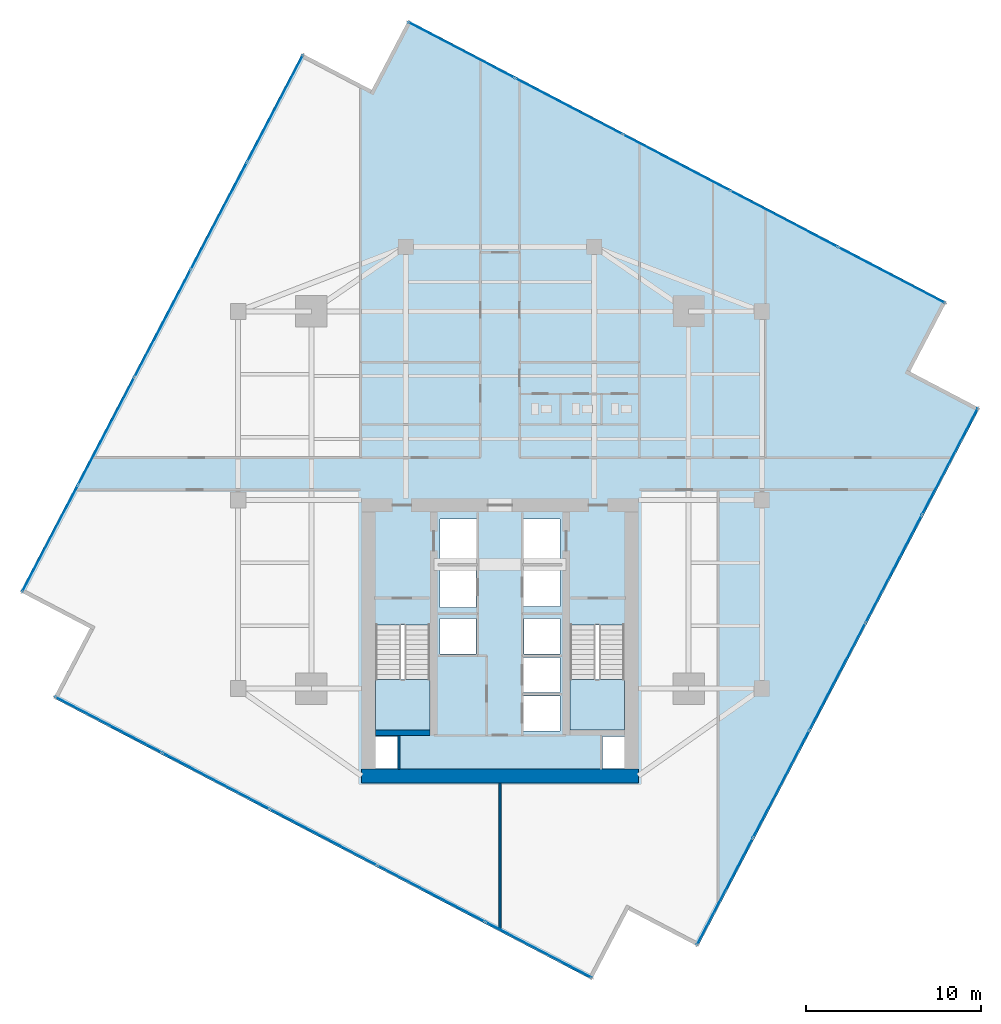
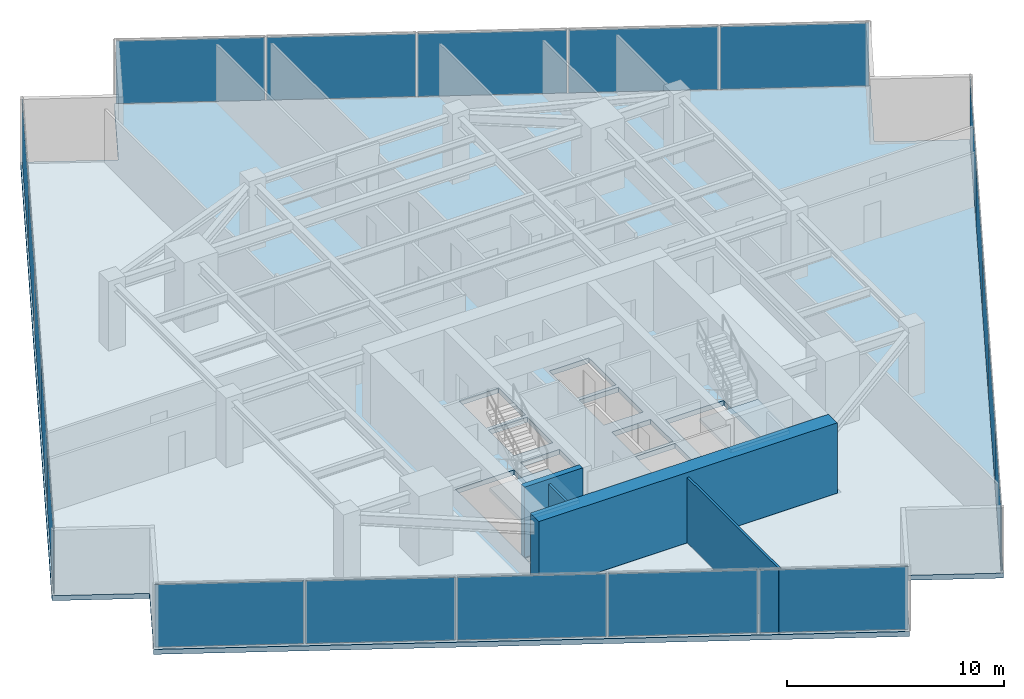
# One storey, part 22 of 27: 20 plates, 4 walls, 3 slabs, 6 elements without a shape of their own.
"""IFC4 building model written with IfcOpenShell, lengths in metres."""

from ifc_helpers import new_model, si_unit, direction, frame, frame_2d, origin, origin_2d, place, context, subcontext, project, spatial, polyline, rectangle, outline, extrude, source, transform, mapped, material, layer, layer_set, type_object, type_shapes, element, aggregate, save


model = new_model("IFC4")

# Units and contexts
model_context = context("Model", 3, precision=1e-05, world=origin(), true_north=direction((0.0, 1.0)))
body_context = subcontext(model_context, "Body", "Model", "MODEL_VIEW")
ifc_project = project(units=[si_unit("LENGTHUNIT", "METRE"), si_unit("AREAUNIT", "SQUARE_METRE"), si_unit("VOLUMEUNIT", "CUBIC_METRE"), si_unit("PLANEANGLEUNIT", "RADIAN"), si_unit("MASSUNIT", "GRAM", prefix="KILO")], contexts=[model_context])

# Site, building, storey
site_placement = place(None, origin())
site = spatial("IfcSite", under=ifc_project, at=site_placement, CompositionType="ELEMENT")
building_placement = place(site_placement, origin())
building = spatial("IfcBuilding", under=site, at=building_placement, Name="Krantzveldt Concourse Tower", CompositionType="ELEMENT")
storey_placement = place(building_placement, frame((0.0, 0.0, 150.14990234375)))
storey = spatial("IfcBuildingStorey", under=building, at=storey_placement, Name="L36", CompositionType="ELEMENT", Elevation=150.14990234375)

# Stair, slab
ifc_material_1 = material(Name="Precast concrete C40/50", Category="concrete")
stair_type = type_object("IfcStairType", Name="STR-CORE-DOGLEG", PredefinedType="HALF_TURN_STAIR", material=ifc_material_1)
stair_1_placement = place(storey_placement, origin())
stair_1 = element("IfcStair", 1, at=stair_1_placement, inside=storey, type_object=stair_type, Name="L36 Protected Escape Stair ST-1", PredefinedType="HALF_TURN_STAIR")
ifc_layer_1 = layer(ifc_material_1, 0.199951171875, Name="Precast concrete C40/50", Category="concrete")
ifc_layer_set_1 = layer_set([ifc_layer_1], Name="Precast concrete C40/50 (SL-LANDING-200)")
slab_type_1 = type_object("IfcSlabType", Name="SL-LANDING-200", PredefinedType="LANDING", material=ifc_layer_set_1)
slab_1_placement = place(storey_placement, frame((0.0, 0.0, 1.775146484375)))
slab_1 = element("IfcSlab", 2, at=slab_1_placement, type_object=slab_type_1, Name="ST-1 landing 1", PredefinedType="LANDING", context=body_context, shape_type="SweptSolid", body=[
    extrude(outline(polyline([(28.8798828125, 16.4150390625), (28.8798828125, 13.52001953125), (31.97998046875, 13.52001953125), (31.97998046875, 16.4150390625), (28.8798828125, 16.4150390625)])), origin(), (0.0, 0.0, 1.0), 0.199951171875),
])
aggregate(stair_1, [slab_1])

stair_2_placement = place(storey_placement, origin())
stair_2 = element("IfcStair", 3, at=stair_2_placement, inside=storey, type_object=stair_type, Name="L36 Protected Escape Stair ST-2", PredefinedType="HALF_TURN_STAIR")
slab_2_placement = place(storey_placement, frame((0.0, 0.0, 1.775146484375)))
slab_2 = element("IfcSlab", 4, at=slab_2_placement, type_object=slab_type_1, Name="ST-2 landing 1", PredefinedType="LANDING", context=body_context, shape_type="SweptSolid", body=[
    extrude(outline(polyline([(40.02001953125, 16.4150390625), (40.02001953125, 13.52001953125), (43.1201171875, 13.52001953125), (43.1201171875, 16.4150390625), (40.02001953125, 16.4150390625)])), origin(), (0.0, 0.0, 1.0), 0.199951171875),
])
aggregate(stair_2, [slab_2])

# Slab
ifc_material_2 = material(Name="Concrete C40/50", Category="concrete")
ifc_layer_2 = layer(ifc_material_2, 0.280029296875, Name="Concrete C40/50", Category="concrete")
ifc_layer_set_2 = layer_set([ifc_layer_2], Name="Concrete C40/50 (SL-SL-TWR280)")
slab_type_2 = type_object("IfcSlabType", Name="SL-SL-TWR280", PredefinedType="FLOOR", material=ifc_layer_set_2)
slab_3_placement = place(storey_placement, frame((0.0, 0.0, -0.27978515625)))
element("IfcSlab", 5, at=slab_3_placement, inside=storey, type_object=slab_type_2, Name="SL-L36-MAIN", PredefinedType="FLOOR", context=body_context, shape_type="SweptSolid", body=[
    extrude(outline(polyline([(28.651611328125, 50.1845703125), (24.66455078125, 52.27099609375), (8.528564453125, 21.438232421875), (12.515380859375, 19.3515625), (10.428955078125, 15.36474609375), (41.26171875, -0.771484375), (43.348388671875, 3.215576171875), (47.33544921875, 1.12890625), (63.471435546875, 31.961669921875), (59.484619140625, 34.04833984375), (61.571044921875, 38.035400390625), (30.73828125, 54.171630859375), (28.651611328125, 50.1845703125)]), holes=[polyline([(28.8798828125, 19.547607421875), (28.8798828125, 13.52001953125), (31.97998046875, 13.52001953125), (31.97998046875, 19.547607421875), (28.8798828125, 19.547607421875)]), polyline([(40.02001953125, 19.547607421875), (40.02001953125, 13.52001953125), (43.1201171875, 13.52001953125), (43.1201171875, 19.547607421875), (40.02001953125, 19.547607421875)]), polyline([(32.550048828125, 23.10009765625), (34.64990234375, 23.10009765625), (34.64990234375, 25.60009765625), (32.550048828125, 25.60009765625), (32.550048828125, 23.10009765625)]), polyline([(37.35009765625, 23.10009765625), (39.449951171875, 23.10009765625), (39.449951171875, 25.60009765625), (37.35009765625, 25.60009765625), (37.35009765625, 23.10009765625)]), polyline([(37.35009765625, 20.60009765625), (39.449951171875, 20.60009765625), (39.449951171875, 22.89990234375), (37.35009765625, 22.89990234375), (37.35009765625, 20.60009765625)]), polyline([(37.35009765625, 13.47998046875), (39.449951171875, 13.47998046875), (39.449951171875, 15.47998046875), (37.35009765625, 15.47998046875), (37.35009765625, 13.47998046875)]), polyline([(37.35009765625, 15.679931640625), (39.449951171875, 15.679931640625), (39.449951171875, 17.679931640625), (37.35009765625, 17.679931640625), (37.35009765625, 15.679931640625)]), polyline([(32.550048828125, 20.550048828125), (34.6201171875, 20.550048828125), (34.6201171875, 22.89990234375), (32.550048828125, 22.89990234375), (32.550048828125, 20.550048828125)]), polyline([(32.550048828125, 17.8798828125), (34.6201171875, 17.8798828125), (34.6201171875, 19.919921875), (32.550048828125, 19.919921875), (32.550048828125, 17.8798828125)]), polyline([(37.3798828125, 17.8798828125), (39.449951171875, 17.8798828125), (39.449951171875, 19.919921875), (37.3798828125, 19.919921875), (37.3798828125, 17.8798828125)]), polyline([(28.8798828125, 11.320068359375), (30.139892578125, 11.320068359375), (30.139892578125, 13.159912109375), (28.8798828125, 13.159912109375), (28.8798828125, 11.320068359375)]), polyline([(41.860107421875, 11.320068359375), (43.1201171875, 11.320068359375), (43.1201171875, 13.159912109375), (41.860107421875, 13.159912109375), (41.860107421875, 11.320068359375)])]), origin(), (0.0, 0.0, 1.0), 0.27978515625),
])

# Curtain wall, plates
ifc_material_3 = material(Name="Anodised aluminium 6063-T6", Category="aluminium")
curtain_wall_type = type_object("IfcCurtainWallType", Name="CW3", PredefinedType="USERDEFINED", material=ifc_material_3)
curtain_wall_1_placement = place(storey_placement, origin())
curtain_wall_1 = element("IfcCurtainWall", 6, at=curtain_wall_1_placement, inside=storey, type_object=curtain_wall_type, Name="CW-L36-F01", ObjectType="UNITISED CURTAIN WALL", PredefinedType="USERDEFINED")
ifc_material_4 = material(Name="Bronze-tinted laminated low-E IGU glass", Category="glass")
ifc_layer_3 = layer(ifc_material_4, 0.031982421875, Name="Bronze-tinted laminated low-E IGU glass", Category="glass")
ifc_layer_set_3 = layer_set([ifc_layer_3], Name="Bronze-tinted laminated low-E IGU glass (CW-GLZ-32)")
plate_type = type_object("IfcPlateType", Name="CW-GLZ-32", PredefinedType="CURTAIN_PANEL", material=ifc_layer_set_3)
shared_shape_1 = source(origin(), body_context, "Body", "SweptSolid", [
    extrude(rectangle(XDim=6.85498046875, YDim=0.031982421875, at=origin_2d()), origin(), (0.0, 0.0, 1.0), 3.530029296875),
])
plate_1_placement = place(storey_placement, frame((23.12255859375, 49.130615234375, 0.0703125), z_axis=(0.0, 0.0, 1.0), x_axis=(-0.463682819502, -0.886001265743, 0.0)))
plate_1 = element("IfcPlate", 7, at=plate_1_placement, type_object=plate_type, Name="CW-Z34 panel 1.1", PredefinedType="CURTAIN_PANEL", context=body_context, shape_type="MappedRepresentation", body=[
    mapped(shared_shape_1, transform((0.0, 0.0, 0.0), x_axis=(1.0, 0.0, 0.0), y_axis=(0.0, 1.0, 0.0), z_axis=(0.0, 0.0, 1.0), scale=1.0)),
])
plate_2_placement = place(storey_placement, frame((10.22998046875, 24.495361328125, 0.0703125), z_axis=(0.0, 0.0, 1.0), x_axis=(-0.463682819502, -0.886001265743, 0.0)))
plate_2 = element("IfcPlate", 8, at=plate_2_placement, type_object=plate_type, Name="CW-Z34 panel 5.1", PredefinedType="CURTAIN_PANEL", context=body_context, shape_type="MappedRepresentation", body=[
    mapped(shared_shape_1, transform((0.0, 0.0, 0.0), x_axis=(1.0, 0.0, 0.0), y_axis=(0.0, 1.0, 0.0), z_axis=(0.0, 0.0, 1.0), scale=1.0)),
])

curtain_wall_2_placement = place(storey_placement, origin())
curtain_wall_2 = element("IfcCurtainWall", 9, at=curtain_wall_2_placement, inside=storey, type_object=curtain_wall_type, Name="CW-L36-F04", ObjectType="UNITISED CURTAIN WALL", PredefinedType="USERDEFINED")
plate_3_placement = place(storey_placement, frame((13.5693359375, 13.82275390625, 0.0703125), z_axis=(0.0, 0.0, 1.0), x_axis=(0.886001265743, -0.463682819502, 0.0)))
plate_3 = element("IfcPlate", 10, at=plate_3_placement, type_object=plate_type, Name="CW-Z34 panel 1.1", PredefinedType="CURTAIN_PANEL", context=body_context, shape_type="MappedRepresentation", body=[
    mapped(shared_shape_1, transform((0.0, 0.0, 0.0), x_axis=(1.0, 0.0, 0.0), y_axis=(0.0, 1.0, 0.0), z_axis=(0.0, 0.0, 1.0), scale=1.0)),
])
plate_4_placement = place(storey_placement, frame((38.20458984375, 0.929931640625, 0.0703125), z_axis=(0.0, 0.0, 1.0), x_axis=(0.886001265743, -0.463682819502, 0.0)))
plate_4 = element("IfcPlate", 11, at=plate_4_placement, type_object=plate_type, Name="CW-Z34 panel 5.1", PredefinedType="CURTAIN_PANEL", context=body_context, shape_type="MappedRepresentation", body=[
    mapped(shared_shape_1, transform((0.0, 0.0, 0.0), x_axis=(1.0, 0.0, 0.0), y_axis=(0.0, 1.0, 0.0), z_axis=(0.0, 0.0, 1.0), scale=1.0)),
])

curtain_wall_3_placement = place(storey_placement, origin())
curtain_wall_3 = element("IfcCurtainWall", 12, at=curtain_wall_3_placement, inside=storey, type_object=curtain_wall_type, Name="CW-L36-F07", ObjectType="UNITISED CURTAIN WALL", PredefinedType="USERDEFINED")
plate_5_placement = place(storey_placement, frame((48.87744140625, 4.26953125, 0.0703125), z_axis=(0.0, 0.0, 1.0), x_axis=(0.463682819502, 0.886001265743, 0.0)))
plate_5 = element("IfcPlate", 13, at=plate_5_placement, type_object=plate_type, Name="CW-Z34 panel 1.1", PredefinedType="CURTAIN_PANEL", context=body_context, shape_type="MappedRepresentation", body=[
    mapped(shared_shape_1, transform((0.0, 0.0, 0.0), x_axis=(1.0, 0.0, 0.0), y_axis=(0.0, 1.0, 0.0), z_axis=(0.0, 0.0, 1.0), scale=1.0)),
])
plate_6_placement = place(storey_placement, frame((61.77001953125, 28.90478515625, 0.0703125), z_axis=(0.0, 0.0, 1.0), x_axis=(0.463682819502, 0.886001265743, 0.0)))
plate_6 = element("IfcPlate", 14, at=plate_6_placement, type_object=plate_type, Name="CW-Z34 panel 5.1", PredefinedType="CURTAIN_PANEL", context=body_context, shape_type="MappedRepresentation", body=[
    mapped(shared_shape_1, transform((0.0, 0.0, 0.0), x_axis=(1.0, 0.0, 0.0), y_axis=(0.0, 1.0, 0.0), z_axis=(0.0, 0.0, 1.0), scale=1.0)),
])

curtain_wall_4_placement = place(storey_placement, origin())
curtain_wall_4 = element("IfcCurtainWall", 15, at=curtain_wall_4_placement, inside=storey, type_object=curtain_wall_type, Name="CW-L36-F10", ObjectType="UNITISED CURTAIN WALL", PredefinedType="USERDEFINED")
plate_7_placement = place(storey_placement, frame((58.4306640625, 39.577392578125, 0.0703125), z_axis=(0.0, 0.0, 1.0), x_axis=(-0.886001265743, 0.463682819502, 0.0)))
plate_7 = element("IfcPlate", 16, at=plate_7_placement, type_object=plate_type, Name="CW-Z34 panel 1.1", PredefinedType="CURTAIN_PANEL", context=body_context, shape_type="MappedRepresentation", body=[
    mapped(shared_shape_1, transform((0.0, 0.0, 0.0), x_axis=(1.0, 0.0, 0.0), y_axis=(0.0, 1.0, 0.0), z_axis=(0.0, 0.0, 1.0), scale=1.0)),
])
plate_8_placement = place(storey_placement, frame((33.79541015625, 52.469970703125, 0.0703125), z_axis=(0.0, 0.0, 1.0), x_axis=(-0.886001265743, 0.463682819502, 0.0)))
plate_8 = element("IfcPlate", 17, at=plate_8_placement, type_object=plate_type, Name="CW-Z34 panel 5.1", PredefinedType="CURTAIN_PANEL", context=body_context, shape_type="MappedRepresentation", body=[
    mapped(shared_shape_1, transform((0.0, 0.0, 0.0), x_axis=(1.0, 0.0, 0.0), y_axis=(0.0, 1.0, 0.0), z_axis=(0.0, 0.0, 1.0), scale=1.0)),
])

# Plate
shared_shape_2 = source(origin(), body_context, "Body", "SweptSolid", [
    extrude(rectangle(XDim=6.889892578125, YDim=0.031982421875, at=origin_2d()), origin(), (0.0, 0.0, 1.0), 3.530029296875),
])
type_shapes(plate_type, [shared_shape_1, shared_shape_2])
plate_9_placement = place(storey_placement, frame((19.903564453125, 42.9794921875, 0.0703125), z_axis=(0.0, 0.0, 1.0), x_axis=(-0.463682819502, -0.886001265743, 0.0)))
plate_9 = element("IfcPlate", 18, at=plate_9_placement, type_object=plate_type, Name="CW-Z34 panel 2.1", PredefinedType="CURTAIN_PANEL", context=body_context, shape_type="MappedRepresentation", body=[
    mapped(shared_shape_2, transform((0.0, 0.0, 0.0), x_axis=(1.0, 0.0, 0.0), y_axis=(0.0, 1.0, 0.0), z_axis=(0.0, 0.0, 1.0), scale=1.0)),
])

plate_10_placement = place(storey_placement, frame((16.67626953125, 36.81298828125, 0.0703125), z_axis=(0.0, 0.0, 1.0), x_axis=(-0.463682819502, -0.886001265743, 0.0)))
plate_10 = element("IfcPlate", 19, at=plate_10_placement, type_object=plate_type, Name="CW-Z34 panel 3.1", PredefinedType="CURTAIN_PANEL", context=body_context, shape_type="MappedRepresentation", body=[
    mapped(shared_shape_2, transform((0.0, 0.0, 0.0), x_axis=(1.0, 0.0, 0.0), y_axis=(0.0, 1.0, 0.0), z_axis=(0.0, 0.0, 1.0), scale=1.0)),
])

plate_11_placement = place(storey_placement, frame((13.448974609375, 30.646240234375, 0.0703125), z_axis=(0.0, 0.0, 1.0), x_axis=(-0.463682819502, -0.886001265743, 0.0)))
plate_11 = element("IfcPlate", 20, at=plate_11_placement, type_object=plate_type, Name="CW-Z34 panel 4.1", PredefinedType="CURTAIN_PANEL", context=body_context, shape_type="MappedRepresentation", body=[
    mapped(shared_shape_2, transform((0.0, 0.0, 0.0), x_axis=(1.0, 0.0, 0.0), y_axis=(0.0, 1.0, 0.0), z_axis=(0.0, 0.0, 1.0), scale=1.0)),
])

aggregate(curtain_wall_1, [plate_1, plate_9, plate_10, plate_11, plate_2])

plate_12_placement = place(storey_placement, frame((19.720458984375, 10.603515625, 0.0703125), z_axis=(0.0, 0.0, 1.0), x_axis=(0.886001265743, -0.463682819502, 0.0)))
plate_12 = element("IfcPlate", 21, at=plate_12_placement, type_object=plate_type, Name="CW-Z34 panel 2.1", PredefinedType="CURTAIN_PANEL", context=body_context, shape_type="MappedRepresentation", body=[
    mapped(shared_shape_2, transform((0.0, 0.0, 0.0), x_axis=(1.0, 0.0, 0.0), y_axis=(0.0, 1.0, 0.0), z_axis=(0.0, 0.0, 1.0), scale=1.0)),
])

plate_13_placement = place(storey_placement, frame((25.886962890625, 7.376220703125, 0.0703125), z_axis=(0.0, 0.0, 1.0), x_axis=(0.886001265743, -0.463682819502, 0.0)))
plate_13 = element("IfcPlate", 22, at=plate_13_placement, type_object=plate_type, Name="CW-Z34 panel 3.1", PredefinedType="CURTAIN_PANEL", context=body_context, shape_type="MappedRepresentation", body=[
    mapped(shared_shape_2, transform((0.0, 0.0, 0.0), x_axis=(1.0, 0.0, 0.0), y_axis=(0.0, 1.0, 0.0), z_axis=(0.0, 0.0, 1.0), scale=1.0)),
])

plate_14_placement = place(storey_placement, frame((32.0537109375, 4.149169921875, 0.0703125), z_axis=(0.0, 0.0, 1.0), x_axis=(0.886001265743, -0.463682819502, 0.0)))
plate_14 = element("IfcPlate", 23, at=plate_14_placement, type_object=plate_type, Name="CW-Z34 panel 4.1", PredefinedType="CURTAIN_PANEL", context=body_context, shape_type="MappedRepresentation", body=[
    mapped(shared_shape_2, transform((0.0, 0.0, 0.0), x_axis=(1.0, 0.0, 0.0), y_axis=(0.0, 1.0, 0.0), z_axis=(0.0, 0.0, 1.0), scale=1.0)),
])

aggregate(curtain_wall_2, [plate_3, plate_12, plate_13, plate_14, plate_4])

plate_15_placement = place(storey_placement, frame((52.096435546875, 10.42041015625, 0.0703125), z_axis=(0.0, 0.0, 1.0), x_axis=(0.463682819502, 0.886001265743, 0.0)))
plate_15 = element("IfcPlate", 24, at=plate_15_placement, type_object=plate_type, Name="CW-Z34 panel 2.1", PredefinedType="CURTAIN_PANEL", context=body_context, shape_type="MappedRepresentation", body=[
    mapped(shared_shape_2, transform((0.0, 0.0, 0.0), x_axis=(1.0, 0.0, 0.0), y_axis=(0.0, 1.0, 0.0), z_axis=(0.0, 0.0, 1.0), scale=1.0)),
])

plate_16_placement = place(storey_placement, frame((55.32373046875, 16.587158203125, 0.0703125), z_axis=(0.0, 0.0, 1.0), x_axis=(0.463682819502, 0.886001265743, 0.0)))
plate_16 = element("IfcPlate", 25, at=plate_16_placement, type_object=plate_type, Name="CW-Z34 panel 3.1", PredefinedType="CURTAIN_PANEL", context=body_context, shape_type="MappedRepresentation", body=[
    mapped(shared_shape_2, transform((0.0, 0.0, 0.0), x_axis=(1.0, 0.0, 0.0), y_axis=(0.0, 1.0, 0.0), z_axis=(0.0, 0.0, 1.0), scale=1.0)),
])

plate_17_placement = place(storey_placement, frame((58.551025390625, 22.753662109375, 0.0703125), z_axis=(0.0, 0.0, 1.0), x_axis=(0.463682819502, 0.886001265743, 0.0)))
plate_17 = element("IfcPlate", 26, at=plate_17_placement, type_object=plate_type, Name="CW-Z34 panel 4.1", PredefinedType="CURTAIN_PANEL", context=body_context, shape_type="MappedRepresentation", body=[
    mapped(shared_shape_2, transform((0.0, 0.0, 0.0), x_axis=(1.0, 0.0, 0.0), y_axis=(0.0, 1.0, 0.0), z_axis=(0.0, 0.0, 1.0), scale=1.0)),
])

aggregate(curtain_wall_3, [plate_5, plate_15, plate_16, plate_17, plate_6])

plate_18_placement = place(storey_placement, frame((52.279541015625, 42.79638671875, 0.0703125), z_axis=(0.0, 0.0, 1.0), x_axis=(-0.886001265743, 0.463682819502, 0.0)))
plate_18 = element("IfcPlate", 27, at=plate_18_placement, type_object=plate_type, Name="CW-Z34 panel 2.1", PredefinedType="CURTAIN_PANEL", context=body_context, shape_type="MappedRepresentation", body=[
    mapped(shared_shape_2, transform((0.0, 0.0, 0.0), x_axis=(1.0, 0.0, 0.0), y_axis=(0.0, 1.0, 0.0), z_axis=(0.0, 0.0, 1.0), scale=1.0)),
])

plate_19_placement = place(storey_placement, frame((46.113037109375, 46.023681640625, 0.0703125), z_axis=(0.0, 0.0, 1.0), x_axis=(-0.886001265743, 0.463682819502, 0.0)))
plate_19 = element("IfcPlate", 28, at=plate_19_placement, type_object=plate_type, Name="CW-Z34 panel 3.1", PredefinedType="CURTAIN_PANEL", context=body_context, shape_type="MappedRepresentation", body=[
    mapped(shared_shape_2, transform((0.0, 0.0, 0.0), x_axis=(1.0, 0.0, 0.0), y_axis=(0.0, 1.0, 0.0), z_axis=(0.0, 0.0, 1.0), scale=1.0)),
])

plate_20_placement = place(storey_placement, frame((39.9462890625, 49.2509765625, 0.0703125), z_axis=(0.0, 0.0, 1.0), x_axis=(-0.886001265743, 0.463682819502, 0.0)))
plate_20 = element("IfcPlate", 29, at=plate_20_placement, type_object=plate_type, Name="CW-Z34 panel 4.1", PredefinedType="CURTAIN_PANEL", context=body_context, shape_type="MappedRepresentation", body=[
    mapped(shared_shape_2, transform((0.0, 0.0, 0.0), x_axis=(1.0, 0.0, 0.0), y_axis=(0.0, 1.0, 0.0), z_axis=(0.0, 0.0, 1.0), scale=1.0)),
])

aggregate(curtain_wall_4, [plate_7, plate_18, plate_19, plate_20, plate_8])

# Walls
ifc_material_5 = material(Name="Fire-rated gypsum plasterboard on steel stud", Category="steel")
ifc_layer_4 = layer(ifc_material_5, 0.1201171875, Name="Fire-rated gypsum plasterboard on steel stud", Category="steel")
ifc_layer_set_4 = layer_set([ifc_layer_4], Name="Fire-rated gypsum plasterboard on steel stud (WL-PART-120)")
wall_type_1 = type_object("IfcWallType", Name="WL-PART-120", PredefinedType="PARTITIONING", material=ifc_layer_set_4)
wall_1_placement = place(storey_placement, frame((36.0, 2.083740234375, 0.0), z_axis=(0.0, 0.0, 1.0), x_axis=(0.0, 1.0, 0.0)))
element("IfcWall", 30, at=wall_1_placement, inside=storey, type_object=wall_type_1, Name="WP-L36-SMID", PredefinedType="PARTITIONING", context=body_context, shape_type="SweptSolid", body=[
    extrude(rectangle(XDim=8.416259765625, YDim=0.1201171875, at=frame_2d((4.2080078125, 0.0))), origin(), (0.0, 0.0, 1.0), 3.670166015625),
])
ifc_layer_5 = layer(ifc_material_5, 0.139892578125, Name="Fire-rated gypsum plasterboard on steel stud", Category="steel")
ifc_layer_set_5 = layer_set([ifc_layer_5], Name="Fire-rated gypsum plasterboard on steel stud (WL-PART-FR140)")
wall_type_2 = type_object("IfcWallType", Name="WL-PART-FR140", PredefinedType="PARTITIONING", material=ifc_layer_set_5)
wall_2_placement = place(storey_placement, frame((30.219970703125, 11.25, 0.0), z_axis=(0.0, 0.0, 1.0), x_axis=(0.0, 1.0, 0.0)))
element("IfcWall", 31, at=wall_2_placement, inside=storey, type_object=wall_type_2, Name="WP-L36-RSW", PredefinedType="PARTITIONING", context=body_context, shape_type="SweptSolid", body=[
    extrude(rectangle(XDim=1.969970703125, YDim=0.1201171875, at=frame_2d((0.98486328125, 0.0))), origin(), (0.0, 0.0, 1.0), 3.670166015625),
])
ifc_material_6 = material(Name="Concrete C50/60", Category="concrete")
ifc_layer_6 = layer(ifc_material_6, 0.300048828125, Name="Concrete C50/60", Category="concrete")
ifc_layer_set_6 = layer_set([ifc_layer_6], Name="Concrete C50/60 (WL-SHEAR-300)")
wall_type_3 = type_object("IfcWallType", Name="WL-SHEAR-300", PredefinedType="SHEAR", material=ifc_layer_set_6)
wall_3_placement = place(storey_placement, frame((28.8798828125, 13.3701171875, 0.0), z_axis=(0.0, 0.0, 1.0), x_axis=(1.0, 0.0, 0.0)))
element("IfcWall", 32, at=wall_3_placement, inside=storey, type_object=wall_type_3, Name="CW-L36-ST1S", PredefinedType="SHEAR", context=body_context, shape_type="SweptSolid", body=[
    extrude(rectangle(XDim=3.10009765625, YDim=0.300048828125, at=frame_2d((1.550048828125, 0.0))), origin(), (0.0, 0.0, 1.0), 3.9501953125),
])
ifc_material_7 = material(Name="Concrete C60/75", Category="concrete")
ifc_layer_7 = layer(ifc_material_7, 0.800048828125, Name="Concrete C60/75", Category="concrete")
ifc_layer_set_7 = layer_set([ifc_layer_7], Name="Concrete C60/75 (WL-SHEAR-800)")
wall_type_4 = type_object("IfcWallType", Name="WL-SHEAR-800", PredefinedType="SHEAR", material=ifc_layer_set_7)
wall_4_placement = place(storey_placement, frame((28.080078125, 10.89990234375, 0.0), z_axis=(0.0, 0.0, 1.0), x_axis=(1.0, 0.0, 0.0)))
element("IfcWall", 33, at=wall_4_placement, inside=storey, type_object=wall_type_4, Name="CW-L36-S", PredefinedType="SHEAR", context=body_context, shape_type="SweptSolid", body=[
    extrude(rectangle(XDim=15.83984375, YDim=0.800048828125, at=frame_2d((7.919921875, 0.0))), origin(), (0.0, 0.0, 1.0), 3.9501953125),
])

save(model, "model.ifc")
